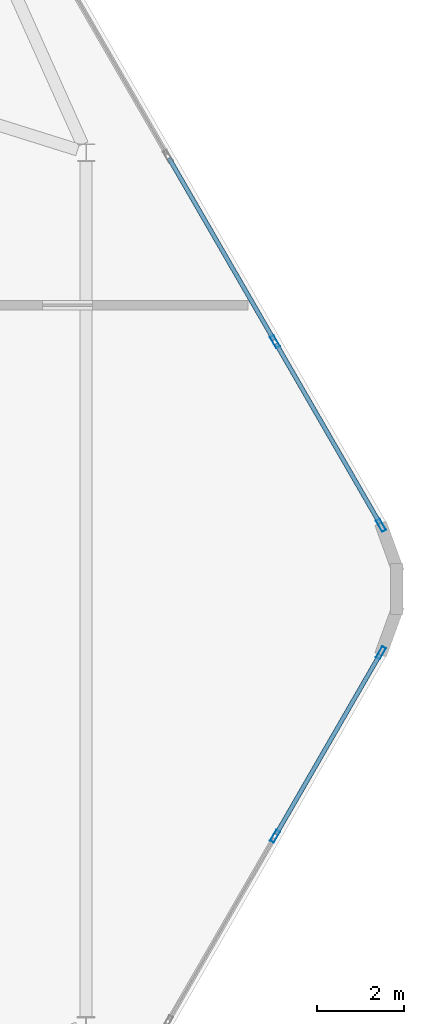
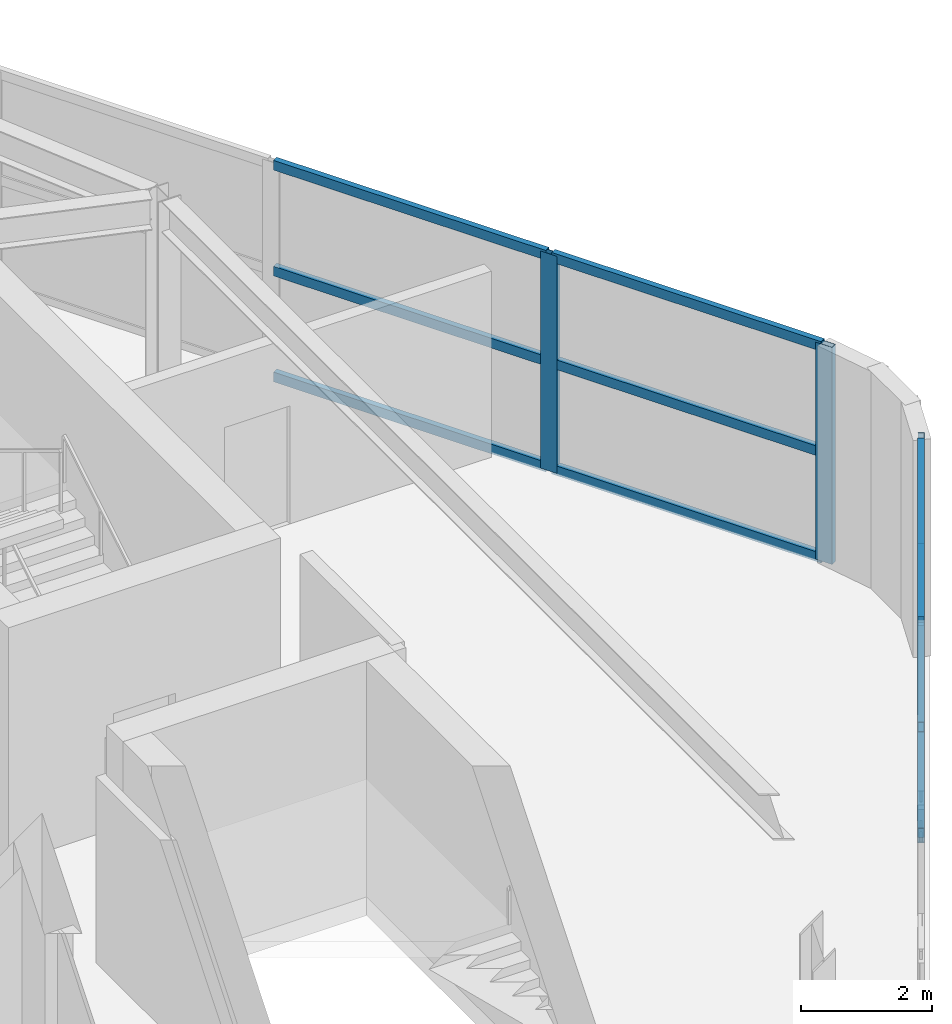
# One storey, part 9 of 16: 13 members, 2 elements without a shape of their own.
"""IFC4 building model written with IfcOpenShell, lengths in metres."""

from ifc_helpers import new_model, si_unit, direction, frame, origin, origin_2d, place, context, subcontext, project, spatial, hollow_rectangle, extrude, material, material_profile, profile_set, type_object, element, aggregate, save


model = new_model("IFC4")

# Units and contexts
model_context = context("Model", 3, precision=1e-05, world=origin(), true_north=direction((0.0, 1.0)))
body_context = subcontext(model_context, "Body", "Model", "MODEL_VIEW")
ifc_project = project(units=[si_unit("LENGTHUNIT", "METRE"), si_unit("AREAUNIT", "SQUARE_METRE"), si_unit("VOLUMEUNIT", "CUBIC_METRE"), si_unit("PLANEANGLEUNIT", "RADIAN"), si_unit("MASSUNIT", "GRAM", prefix="KILO")], contexts=[model_context])

# Site, building, storey
site_placement = place(None, origin())
site = spatial("IfcSite", under=ifc_project, at=site_placement, CompositionType="ELEMENT")
building_placement = place(site_placement, origin())
building = spatial("IfcBuilding", under=site, at=building_placement, Name="Zuhravey Tower", CompositionType="ELEMENT")
storey_placement = place(building_placement, frame((0.0, 0.0, 370.199951171875)))
storey = spatial("IfcBuildingStorey", under=building, at=storey_placement, Name="L94", CompositionType="ELEMENT", Elevation=370.199951171875)

# Curtain wall, members
ifc_material_1 = material(Name="Thermally broken anodised aluminium", Category="aluminium")
curtain_wall_type = type_object("IfcCurtainWallType", Name="Split-Top Crown Screened Curtain Wall CW6", PredefinedType="NOTDEFINED", material=ifc_material_1)
curtain_wall_1_placement = place(storey_placement, origin())
curtain_wall_1 = element("IfcCurtainWall", 1, at=curtain_wall_1_placement, inside=storey, type_object=curtain_wall_type, Name="L94 CW6 CW6-L94-EAST-04", PredefinedType="NOTDEFINED")
ifc_material_2 = material(Name="Anodised aluminium", Category="aluminium")
ifc_material_profile_1 = material_profile(ifc_material_2, hollow_rectangle(XDim=0.10009765625, YDim=0.2900390625, WallThickness=0.006103515625, at=origin_2d()), Name="ALU-RHS-100x290x6")
ifc_profile_set_1 = profile_set([ifc_material_profile_1], Name="Anodised aluminium")
member_type_1 = type_object("IfcMemberType", Name="Heavy Tall-Storey Mullion 100x220", PredefinedType="MULLION", material=ifc_profile_set_1)
member_1_placement = place(storey_placement, frame((60.528076171875, 37.6640625, 0.0), z_axis=(0.0, 0.0, 1.0), x_axis=(0.866027063754, 0.499997124838, 0.0)))
member_1 = element("IfcMember", 2, at=member_1_placement, type_object=member_type_1, Name="CW6 mullion 5", PredefinedType="MULLION", context=body_context, shape_type="SweptSolid", body=[
    extrude(hollow_rectangle(XDim=0.10009765625, YDim=0.2900390625, WallThickness=0.006103515625, at=origin_2d()), origin(), (0.0, 0.0, 1.0), 4.050048828125),
])
member_2_placement = place(storey_placement, frame((62.9560546875, 33.458984375, 0.0), z_axis=(0.0, 0.0, 1.0), x_axis=(0.866027063754, 0.499997124838, 0.0)))
member_2 = element("IfcMember", 3, at=member_2_placement, type_object=member_type_1, Name="CW6 mullion 6", PredefinedType="MULLION", context=body_context, shape_type="SweptSolid", body=[
    extrude(hollow_rectangle(XDim=0.10009765625, YDim=0.2900390625, WallThickness=0.006103515625, at=origin_2d()), origin(), (0.0, 0.0, 1.0), 4.050048828125),
])

curtain_wall_2_placement = place(storey_placement, origin())
curtain_wall_2 = element("IfcCurtainWall", 4, at=curtain_wall_2_placement, inside=storey, type_object=curtain_wall_type, Name="L94 CW6 CW6-L94-EAST-08", PredefinedType="NOTDEFINED")
member_3_placement = place(storey_placement, frame((62.9560546875, 30.541015625, 0.0), z_axis=(0.0, 0.0, 1.0), x_axis=(0.866027063754, -0.499997124838, 0.0)))
member_3 = element("IfcMember", 5, at=member_3_placement, type_object=member_type_1, Name="CW6 mullion 1", PredefinedType="MULLION", context=body_context, shape_type="SweptSolid", body=[
    extrude(hollow_rectangle(XDim=0.10009765625, YDim=0.2900390625, WallThickness=0.006103515625, at=origin_2d()), origin(), (0.0, 0.0, 1.0), 4.050048828125),
])
member_4_placement = place(storey_placement, frame((60.528076171875, 26.3359375, 0.0), z_axis=(0.0, 0.0, 1.0), x_axis=(0.866027063754, -0.499997124838, 0.0)))
member_4 = element("IfcMember", 6, at=member_4_placement, type_object=member_type_1, Name="CW6 mullion 2", PredefinedType="MULLION", context=body_context, shape_type="SweptSolid", body=[
    extrude(hollow_rectangle(XDim=0.10009765625, YDim=0.2900390625, WallThickness=0.006103515625, at=origin_2d()), origin(), (0.0, 0.0, 1.0), 4.050048828125),
])

# Member
ifc_material_profile_2 = material_profile(ifc_material_2, hollow_rectangle(XDim=0.10009765625, YDim=0.179931640625, WallThickness=0.006103515625, at=origin_2d()), Name="ALU-RHS-100x180x6")
ifc_profile_set_2 = profile_set([ifc_material_profile_2], Name="Anodised aluminium")
member_type_2 = type_object("IfcMemberType", Name="Tall-Storey Transom 100x180", PredefinedType="USERDEFINED", material=ifc_profile_set_2)
member_5_placement = place(storey_placement, frame((58.10009765625, 41.869384765625, 0.050048828125), z_axis=(0.50003466983, -0.866005386223, 0.0), x_axis=(0.866005386223, 0.50003466983, 0.0)))
member_5 = element("IfcMember", 7, at=member_5_placement, type_object=member_type_2, Name="CW6 transom 4.1", ObjectType="TRANSOM", PredefinedType="USERDEFINED", context=body_context, shape_type="SweptSolid", body=[
    extrude(hollow_rectangle(XDim=0.10009765625, YDim=0.179931640625, WallThickness=0.006103515625, at=origin_2d()), origin(), (0.0, 0.0, 1.0), 4.805908203125),
])

member_6_placement = place(storey_placement, frame((58.10009765625, 41.869384765625, 2.025146484375), z_axis=(0.50003466983, -0.866005386223, 0.0), x_axis=(0.866005386223, 0.50003466983, 0.0)))
member_6 = element("IfcMember", 8, at=member_6_placement, type_object=member_type_2, Name="CW6 transom 4.2", ObjectType="TRANSOM", PredefinedType="USERDEFINED", context=body_context, shape_type="SweptSolid", body=[
    extrude(hollow_rectangle(XDim=0.10009765625, YDim=0.179931640625, WallThickness=0.006103515625, at=origin_2d()), origin(), (0.0, 0.0, 1.0), 4.805908203125),
])

member_7_placement = place(storey_placement, frame((58.10009765625, 41.869384765625, 4.0), z_axis=(0.50003466983, -0.866005386223, 0.0), x_axis=(0.866005386223, 0.50003466983, 0.0)))
member_7 = element("IfcMember", 9, at=member_7_placement, type_object=member_type_2, Name="CW6 transom 4.3", ObjectType="TRANSOM", PredefinedType="USERDEFINED", context=body_context, shape_type="SweptSolid", body=[
    extrude(hollow_rectangle(XDim=0.10009765625, YDim=0.179931640625, WallThickness=0.006103515625, at=origin_2d()), origin(), (0.0, 0.0, 1.0), 4.805908203125),
])

member_8_placement = place(storey_placement, frame((60.552978515625, 37.620849609375, 0.050048828125), z_axis=(0.500003887042, -0.866023159588, 0.0), x_axis=(0.866023159588, 0.500003887042, 0.0)))
member_8 = element("IfcMember", 10, at=member_8_placement, type_object=member_type_2, Name="CW6 transom 5.1", ObjectType="TRANSOM", PredefinedType="USERDEFINED", context=body_context, shape_type="SweptSolid", body=[
    extrude(hollow_rectangle(XDim=0.10009765625, YDim=0.179931640625, WallThickness=0.006103515625, at=origin_2d()), origin(), (0.0, 0.0, 1.0), 4.755859375),
])

member_9_placement = place(storey_placement, frame((60.552978515625, 37.620849609375, 2.025146484375), z_axis=(0.500003887042, -0.866023159588, 0.0), x_axis=(0.866023159588, 0.500003887042, 0.0)))
member_9 = element("IfcMember", 11, at=member_9_placement, type_object=member_type_2, Name="CW6 transom 5.2", ObjectType="TRANSOM", PredefinedType="USERDEFINED", context=body_context, shape_type="SweptSolid", body=[
    extrude(hollow_rectangle(XDim=0.10009765625, YDim=0.179931640625, WallThickness=0.006103515625, at=origin_2d()), origin(), (0.0, 0.0, 1.0), 4.755859375),
])

member_10_placement = place(storey_placement, frame((60.552978515625, 37.620849609375, 4.0), z_axis=(0.500003887042, -0.866023159588, 0.0), x_axis=(0.866023159588, 0.500003887042, 0.0)))
member_10 = element("IfcMember", 12, at=member_10_placement, type_object=member_type_2, Name="CW6 transom 5.3", ObjectType="TRANSOM", PredefinedType="USERDEFINED", context=body_context, shape_type="SweptSolid", body=[
    extrude(hollow_rectangle(XDim=0.10009765625, YDim=0.179931640625, WallThickness=0.006103515625, at=origin_2d()), origin(), (0.0, 0.0, 1.0), 4.755859375),
])

aggregate(curtain_wall_1, [member_1, member_2, member_5, member_6, member_7, member_8, member_9, member_10])

member_11_placement = place(storey_placement, frame((62.930908203125, 30.497802734375, 0.050048828125), z_axis=(-0.500003887042, -0.866023159588, 0.0), x_axis=(0.866023159588, -0.500003887042, 0.0)))
member_11 = element("IfcMember", 13, at=member_11_placement, type_object=member_type_2, Name="CW6 transom 1.1", ObjectType="TRANSOM", PredefinedType="USERDEFINED", context=body_context, shape_type="SweptSolid", body=[
    extrude(hollow_rectangle(XDim=0.10009765625, YDim=0.179931640625, WallThickness=0.006103515625, at=origin_2d()), origin(), (0.0, 0.0, 1.0), 4.755859375),
])

member_12_placement = place(storey_placement, frame((62.930908203125, 30.497802734375, 2.025146484375), z_axis=(-0.500003887042, -0.866023159588, 0.0), x_axis=(0.866023159588, -0.500003887042, 0.0)))
member_12 = element("IfcMember", 14, at=member_12_placement, type_object=member_type_2, Name="CW6 transom 1.2", ObjectType="TRANSOM", PredefinedType="USERDEFINED", context=body_context, shape_type="SweptSolid", body=[
    extrude(hollow_rectangle(XDim=0.10009765625, YDim=0.179931640625, WallThickness=0.006103515625, at=origin_2d()), origin(), (0.0, 0.0, 1.0), 4.755859375),
])

member_13_placement = place(storey_placement, frame((62.930908203125, 30.497802734375, 4.0), z_axis=(-0.500003887042, -0.866023159588, 0.0), x_axis=(0.866023159588, -0.500003887042, 0.0)))
member_13 = element("IfcMember", 15, at=member_13_placement, type_object=member_type_2, Name="CW6 transom 1.3", ObjectType="TRANSOM", PredefinedType="USERDEFINED", context=body_context, shape_type="SweptSolid", body=[
    extrude(hollow_rectangle(XDim=0.10009765625, YDim=0.179931640625, WallThickness=0.006103515625, at=origin_2d()), origin(), (0.0, 0.0, 1.0), 4.755859375),
])

aggregate(curtain_wall_2, [member_3, member_4, member_11, member_12, member_13])

save(model, "model.ifc")
